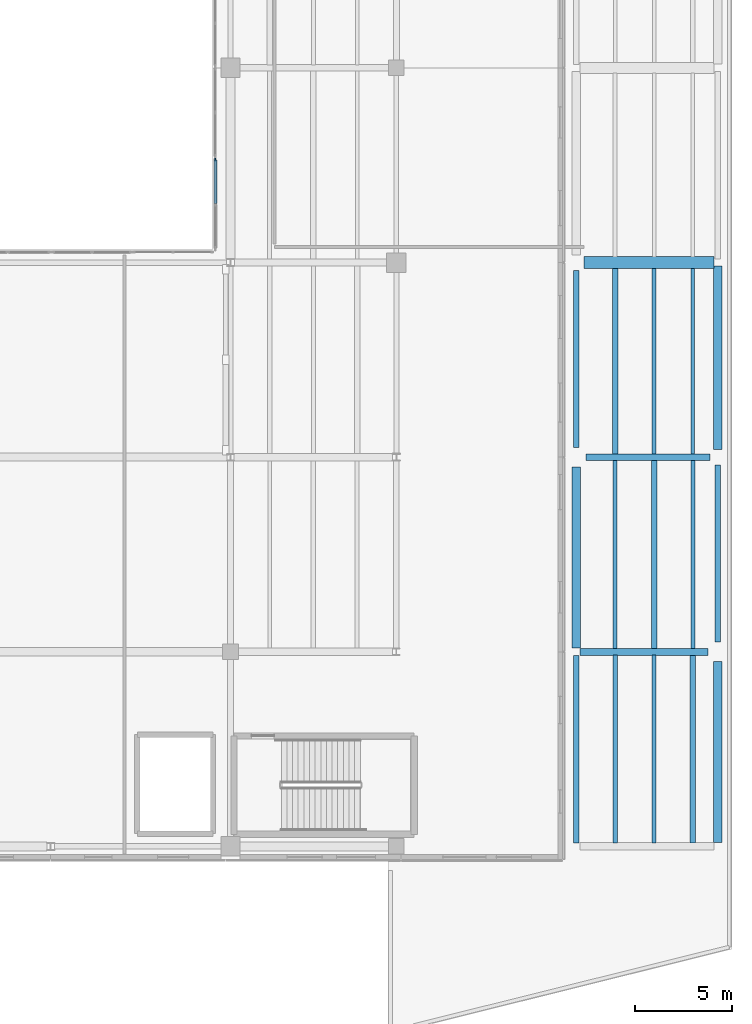
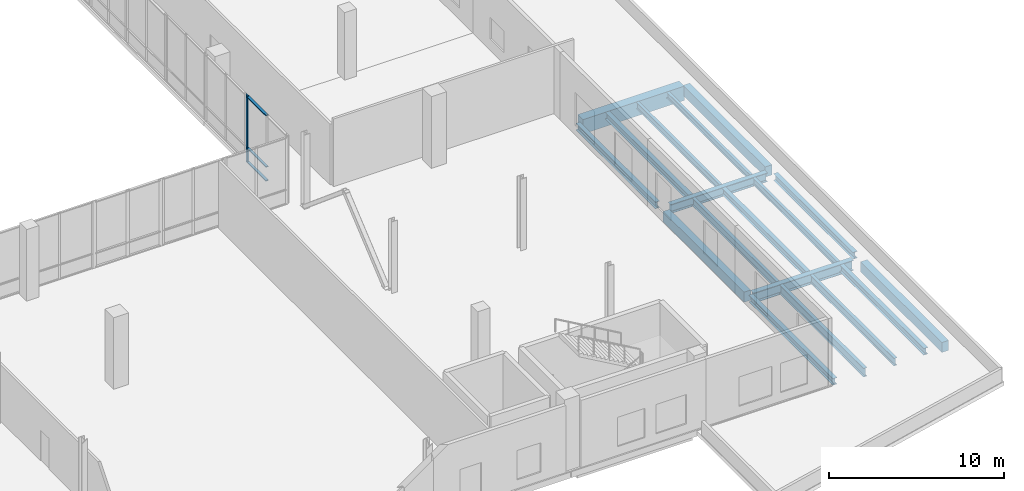
# One storey, part 41 of 73: 18 beams, 4 members, 1 element without a shape of its own.
"""IFC4 building model written with IfcOpenShell, lengths in metres."""

from ifc_helpers import new_model, si_unit, direction, frame, origin, origin_2d, place, context, subcontext, project, spatial, rectangle, i_section, extrude, material, material_profile, profile_set, type_object, element, aggregate, save


model = new_model("IFC4")

# Units and contexts
model_context = context("Model", 3, precision=1e-05, world=origin(), true_north=direction((0.0, 1.0)))
body_context = subcontext(model_context, "Body", "Model", "MODEL_VIEW")
ifc_project = project(units=[si_unit("LENGTHUNIT", "METRE"), si_unit("AREAUNIT", "SQUARE_METRE"), si_unit("VOLUMEUNIT", "CUBIC_METRE"), si_unit("PLANEANGLEUNIT", "RADIAN"), si_unit("MASSUNIT", "GRAM", prefix="KILO")], contexts=[model_context])

# Site, building, storey
site_placement = place(None, origin())
site = spatial("IfcSite", under=ifc_project, at=site_placement, CompositionType="ELEMENT")
building_placement = place(site_placement, origin())
building = spatial("IfcBuilding", under=site, at=building_placement, Name="Trimount Lyric Opera House", CompositionType="ELEMENT")
storey_placement = place(building_placement, frame((0.0, 0.0, 10.0)))
storey = spatial("IfcBuildingStorey", under=building, at=storey_placement, Name="L02", CompositionType="ELEMENT", Elevation=10.0)

# Beams
ifc_material_1 = material(Name="Steel ASTM A992 Grade 50", Category="steel")
ifc_material_profile_1 = material_profile(ifc_material_1, i_section(OverallWidth=0.35595703125, OverallDepth=0.700927734375, WebThickness=0.016845703125, FlangeThickness=0.02734375, FilletRadius=0.01806640625, at=origin_2d()), Name="W27X161")
ifc_profile_set_1 = profile_set([ifc_material_profile_1], Name="Steel ASTM A992 Grade 50")
beam_type_1 = type_object("IfcBeamType", Name="B-08", PredefinedType="BEAM", material=ifc_profile_set_1)
beam_1_placement = place(storey_placement, frame((166.199462890625, 54.0, -0.62060546875), z_axis=(1.0, 0.0, 0.0), x_axis=(0.0, 1.0, 0.0)))
element("IfcBeam", 1, at=beam_1_placement, inside=storey, type_object=beam_type_1, Name="L02 girder X-0748", PredefinedType="BEAM", context=body_context, shape_type="SweptSolid", body=[
    extrude(i_section(OverallWidth=0.35595703125, OverallDepth=0.700927734375, WebThickness=0.016845703125, FlangeThickness=0.02734375, FilletRadius=0.01806640625, at=origin_2d()), origin(), (0.0, 0.0, 1.0), 6.58056640625),
])
ifc_material_2 = material(Name="Steel ASTM A992 Grade 50", Category="steel")
ifc_material_profile_2 = material_profile(ifc_material_2, i_section(OverallWidth=0.327880859375, OverallDepth=0.626953125, WebThickness=0.0166015625, FlangeThickness=0.027587890625, FilletRadius=0.01611328125, at=origin_2d()), Name="W24X146")
ifc_profile_set_2 = profile_set([ifc_material_profile_2], Name="Steel ASTM A992 Grade 50")
beam_type_2 = type_object("IfcBeamType", Name="B-10", PredefinedType="BEAM", material=ifc_profile_set_2)
beam_2_placement = place(storey_placement, frame((166.5, 64.0, -0.58349609375), z_axis=(1.0, 0.0, 0.0), x_axis=(0.0, 1.0, 0.0)))
element("IfcBeam", 2, at=beam_2_placement, inside=storey, type_object=beam_type_2, Name="L02 girder X-0760", PredefinedType="BEAM", context=body_context, shape_type="SweptSolid", body=[
    extrude(i_section(OverallWidth=0.327880859375, OverallDepth=0.626953125, WebThickness=0.0166015625, FlangeThickness=0.027587890625, FilletRadius=0.01611328125, at=origin_2d()), origin(), (0.0, 0.0, 1.0), 6.3798828125),
])
ifc_material_3 = material(Name="Concrete C40/50", Category="concrete")
ifc_material_profile_3 = material_profile(ifc_material_3, rectangle(XDim=0.60009765625, YDim=1.0, at=origin_2d()), Name="RC600X1000")
ifc_profile_set_3 = profile_set([ifc_material_profile_3], Name="Concrete C40/50")
beam_type_3 = type_object("IfcBeamType", Name="B-13", PredefinedType="BEAM", material=ifc_profile_set_3)
beam_3_placement = place(storey_placement, frame((166.39990234375, 74.0, -0.77001953125), z_axis=(1.0, 0.0, 0.0), x_axis=(0.0, 1.0, 0.0)))
element("IfcBeam", 3, at=beam_3_placement, inside=storey, type_object=beam_type_3, Name="L02 girder X-0772", PredefinedType="BEAM", context=body_context, shape_type="SweptSolid", body=[
    extrude(rectangle(XDim=0.60009765625, YDim=1.0, at=origin_2d()), origin(), (0.0, 0.0, 1.0), 6.693603515625),
])
ifc_material_4 = material(Name="Steel ASTM A992 Grade 50", Category="steel")
ifc_material_profile_4 = material_profile(ifc_material_4, i_section(OverallWidth=0.22802734375, OverallDepth=0.60205078125, WebThickness=0.010498046875, FlangeThickness=0.014892578125, FilletRadius=0.012939453125, at=origin_2d()), Name="W24X68")
ifc_profile_set_4 = profile_set([ifc_material_profile_4], Name="Steel ASTM A992 Grade 50")
beam_type_4 = type_object("IfcBeamType", Name="J-01", PredefinedType="BEAM", material=ifc_profile_set_4)
beam_4_placement = place(storey_placement, frame((168.0, 44.18701171875, -0.571044921875), z_axis=(0.0, 1.0, 0.0), x_axis=(-1.0, 0.0, 0.0)))
element("IfcBeam", 4, at=beam_4_placement, inside=storey, type_object=beam_type_4, Name="L02 composite floor joist 0965", PredefinedType="BEAM", context=body_context, shape_type="SweptSolid", body=[
    extrude(i_section(OverallWidth=0.22802734375, OverallDepth=0.60205078125, WebThickness=0.010498046875, FlangeThickness=0.014892578125, FilletRadius=0.012939453125, at=origin_2d()), origin(), (0.0, 0.0, 1.0), 9.638916015625),
])
ifc_material_5 = material(Name="Steel ASTM A992 Grade 50", Category="steel")
ifc_material_profile_5 = material_profile(ifc_material_5, i_section(OverallWidth=0.2099609375, OverallDepth=0.532958984375, WebThickness=0.01025390625, FlangeThickness=0.015625, FilletRadius=0.012939453125, at=origin_2d()), Name="W21X62")
ifc_profile_set_5 = profile_set([ifc_material_profile_5], Name="Steel ASTM A992 Grade 50")
beam_type_5 = type_object("IfcBeamType", Name="J-02", PredefinedType="BEAM", material=ifc_profile_set_5)
beam_5_placement = place(storey_placement, frame((170.0, 44.18701171875, -0.53662109375), z_axis=(0.0, 1.0, 0.0), x_axis=(-1.0, 0.0, 0.0)))
element("IfcBeam", 5, at=beam_5_placement, inside=storey, type_object=beam_type_5, Name="L02 composite floor joist 0966", PredefinedType="BEAM", context=body_context, shape_type="SweptSolid", body=[
    extrude(i_section(OverallWidth=0.2099609375, OverallDepth=0.532958984375, WebThickness=0.01025390625, FlangeThickness=0.015625, FilletRadius=0.012939453125, at=origin_2d()), origin(), (0.0, 0.0, 1.0), 9.638916015625),
])
beam_6_placement = place(storey_placement, frame((168.0, 54.174072265625, -0.53662109375), z_axis=(0.0, 1.0, 0.0), x_axis=(-1.0, 0.0, 0.0)))
element("IfcBeam", 6, at=beam_6_placement, inside=storey, type_object=beam_type_5, Name="L02 composite floor joist 0968", PredefinedType="BEAM", context=body_context, shape_type="SweptSolid", body=[
    extrude(i_section(OverallWidth=0.2099609375, OverallDepth=0.532958984375, WebThickness=0.01025390625, FlangeThickness=0.015625, FilletRadius=0.012939453125, at=origin_2d()), origin(), (0.0, 0.0, 1.0), 9.666015625),
])
ifc_material_6 = material(Name="Steel ASTM A992 Grade 50", Category="steel")
ifc_material_profile_6 = material_profile(ifc_material_6, i_section(OverallWidth=0.281982421875, OverallDepth=0.467041015625, WebThickness=0.01220703125, FlangeThickness=0.01953125, FilletRadius=0.012939453125, at=origin_2d()), Name="W18X86")
ifc_profile_set_6 = profile_set([ifc_material_profile_6], Name="Steel ASTM A992 Grade 50")
beam_type_6 = type_object("IfcBeamType", Name="J-03", PredefinedType="BEAM", material=ifc_profile_set_6)
beam_7_placement = place(storey_placement, frame((172.0, 44.18701171875, -0.50341796875), z_axis=(0.0, 1.0, 0.0), x_axis=(-1.0, 0.0, 0.0)))
element("IfcBeam", 7, at=beam_7_placement, inside=storey, type_object=beam_type_6, Name="L02 composite floor joist 0967", PredefinedType="BEAM", context=body_context, shape_type="SweptSolid", body=[
    extrude(i_section(OverallWidth=0.281982421875, OverallDepth=0.467041015625, WebThickness=0.01220703125, FlangeThickness=0.01953125, FilletRadius=0.012939453125, at=origin_2d()), origin(), (0.0, 0.0, 1.0), 9.638916015625),
])
beam_8_placement = place(storey_placement, frame((170.0, 54.174072265625, -0.50341796875), z_axis=(0.0, 1.0, 0.0), x_axis=(-1.0, 0.0, 0.0)))
element("IfcBeam", 8, at=beam_8_placement, inside=storey, type_object=beam_type_6, Name="L02 composite floor joist 0969", PredefinedType="BEAM", context=body_context, shape_type="SweptSolid", body=[
    extrude(i_section(OverallWidth=0.281982421875, OverallDepth=0.467041015625, WebThickness=0.01220703125, FlangeThickness=0.01953125, FilletRadius=0.012939453125, at=origin_2d()), origin(), (0.0, 0.0, 1.0), 9.666015625),
])
beam_9_placement = place(storey_placement, frame((168.0, 64.159912109375, -0.50341796875), z_axis=(0.0, 1.0, 0.0), x_axis=(-1.0, 0.0, 0.0)))
element("IfcBeam", 9, at=beam_9_placement, inside=storey, type_object=beam_type_6, Name="L02 composite floor joist 0971", PredefinedType="BEAM", context=body_context, shape_type="SweptSolid", body=[
    extrude(i_section(OverallWidth=0.281982421875, OverallDepth=0.467041015625, WebThickness=0.01220703125, FlangeThickness=0.01953125, FilletRadius=0.012939453125, at=origin_2d()), origin(), (0.0, 0.0, 1.0), 9.544189453125),
])
ifc_material_7 = material(Name="Steel ASTM A992 Grade 50", Category="steel")
ifc_material_profile_7 = material_profile(ifc_material_7, i_section(OverallWidth=0.19091796875, OverallDepth=0.45703125, WebThickness=0.009033203125, FlangeThickness=0.014404296875, FilletRadius=0.010986328125, at=origin_2d()), Name="W18X50")
ifc_profile_set_7 = profile_set([ifc_material_profile_7], Name="Steel ASTM A992 Grade 50")
beam_type_7 = type_object("IfcBeamType", Name="J-04", PredefinedType="BEAM", material=ifc_profile_set_7)
beam_10_placement = place(storey_placement, frame((172.0, 54.174072265625, -0.49853515625), z_axis=(0.0, 1.0, 0.0), x_axis=(-1.0, 0.0, 0.0)))
element("IfcBeam", 10, at=beam_10_placement, inside=storey, type_object=beam_type_7, Name="L02 composite floor joist 0970", PredefinedType="BEAM", context=body_context, shape_type="SweptSolid", body=[
    extrude(i_section(OverallWidth=0.19091796875, OverallDepth=0.45703125, WebThickness=0.009033203125, FlangeThickness=0.014404296875, FilletRadius=0.010986328125, at=origin_2d()), origin(), (0.0, 0.0, 1.0), 9.666015625),
])
beam_11_placement = place(storey_placement, frame((170.0, 64.159912109375, -0.49853515625), z_axis=(0.0, 1.0, 0.0), x_axis=(-1.0, 0.0, 0.0)))
element("IfcBeam", 11, at=beam_11_placement, inside=storey, type_object=beam_type_7, Name="L02 composite floor joist 0972", PredefinedType="BEAM", context=body_context, shape_type="SweptSolid", body=[
    extrude(i_section(OverallWidth=0.19091796875, OverallDepth=0.45703125, WebThickness=0.009033203125, FlangeThickness=0.014404296875, FilletRadius=0.010986328125, at=origin_2d()), origin(), (0.0, 0.0, 1.0), 9.544189453125),
])
ifc_material_8 = material(Name="Steel ASTM A992 Grade 50", Category="steel")
ifc_material_profile_8 = material_profile(ifc_material_8, i_section(OverallWidth=0.180908203125, OverallDepth=0.4169921875, WebThickness=0.010986328125, FlangeThickness=0.018310546875, FilletRadius=0.010986328125, at=origin_2d()), Name="W16X57")
ifc_profile_set_8 = profile_set([ifc_material_profile_8], Name="Steel ASTM A992 Grade 50")
beam_type_8 = type_object("IfcBeamType", Name="J-05", PredefinedType="BEAM", material=ifc_profile_set_8)
beam_12_placement = place(storey_placement, frame((172.0, 64.159912109375, -0.478515625), z_axis=(0.0, 1.0, 0.0), x_axis=(-1.0, 0.0, 0.0)))
element("IfcBeam", 12, at=beam_12_placement, inside=storey, type_object=beam_type_8, Name="L02 composite floor joist 0973", PredefinedType="BEAM", context=body_context, shape_type="SweptSolid", body=[
    extrude(i_section(OverallWidth=0.180908203125, OverallDepth=0.4169921875, WebThickness=0.010986328125, FlangeThickness=0.018310546875, FilletRadius=0.010986328125, at=origin_2d()), origin(), (0.0, 0.0, 1.0), 9.544189453125),
])

# Curtain wall, member
ifc_material_9 = material(Name="Thermally Broken Aluminium and Low-E Glass", Category="aluminium")
curtain_wall_type = type_object("IfcCurtainWallType", Name="CW-03", PredefinedType="NOTDEFINED", material=ifc_material_9)
curtain_wall_placement = place(storey_placement, origin())
curtain_wall = element("IfcCurtainWall", 13, at=curtain_wall_placement, inside=storey, type_object=curtain_wall_type, Name="L02 curtain wall 228", PredefinedType="NOTDEFINED")
ifc_material_10 = material(Name="Anodised Aluminium 6063-T6", Category="aluminium")
ifc_material_profile_9 = material_profile(ifc_material_10, rectangle(XDim=0.070068359375, YDim=0.219970703125, at=origin_2d()), Name="ALU-MULL-70X220")
ifc_profile_set_9 = profile_set([ifc_material_profile_9], Name="Anodised Aluminium 6063-T6")
member_type_1 = type_object("IfcMemberType", Name="ML-01", PredefinedType="MULLION", material=ifc_profile_set_9)
member_1_placement = place(storey_placement, frame((147.4599609375, 79.304931640625, 0.0), z_axis=(0.0, 0.0, 1.0), x_axis=(-1.0, 0.0, 0.0)))
member_1 = element("IfcMember", 14, at=member_1_placement, type_object=member_type_1, Name="CW-03 mullion 3", PredefinedType="MULLION", context=body_context, shape_type="SweptSolid", body=[
    extrude(rectangle(XDim=0.070068359375, YDim=0.219970703125, at=origin_2d()), origin(), (0.0, 0.0, 1.0), 4.7099609375),
])

# Beams
ifc_material_11 = material(Name="Steel ASTM A992 Grade 50", Category="steel")
ifc_material_profile_10 = material_profile(ifc_material_11, i_section(OverallWidth=0.281982421875, OverallDepth=0.467041015625, WebThickness=0.01220703125, FlangeThickness=0.01953125, FilletRadius=0.012939453125, at=origin_2d()), Name="W18X86")
ifc_profile_set_10 = profile_set([ifc_material_profile_10], Name="Steel ASTM A992 Grade 50")
beam_type_9 = type_object("IfcBeamType", Name="SP-01", PredefinedType="SPANDREL", material=ifc_profile_set_10)
beam_13_placement = place(storey_placement, frame((166.0, 44.18408203125, -0.50341796875), z_axis=(0.0, 1.0, 0.0), x_axis=(-1.0, 0.0, 0.0)))
element("IfcBeam", 15, at=beam_13_placement, inside=storey, type_object=beam_type_9, Name="L02 girder Y-0924", PredefinedType="SPANDREL", context=body_context, shape_type="SweptSolid", body=[
    extrude(i_section(OverallWidth=0.281982421875, OverallDepth=0.467041015625, WebThickness=0.01220703125, FlangeThickness=0.01953125, FilletRadius=0.012939453125, at=origin_2d()), origin(), (0.0, 0.0, 1.0), 9.622802734375),
])
for number, where, z_axis, x_axis, name in (
    (16, (166.0, 64.5, -0.50341796875), (0.0, 1.0, 0.0), (-1.0, 0.0, 0.0), "L02 girder Y-0926"),
    (17, (173.280029296875, 54.5, -0.50341796875), (0.0, 1.0, 0.0), (-1.0, 0.0, 0.0), "L02 girder Y-0933"),
):
    element("IfcBeam", number, at=place(storey_placement, frame(where, z_axis=z_axis, x_axis=x_axis)), inside=storey, type_object=beam_type_9, Name=name, PredefinedType="SPANDREL", context=body_context, shape_type="SweptSolid", body=[
        extrude(i_section(OverallWidth=0.281982421875, OverallDepth=0.467041015625, WebThickness=0.01220703125, FlangeThickness=0.01953125, FilletRadius=0.012939453125, at=origin_2d()), origin(), (0.0, 0.0, 1.0), 9.10009765625),
    ])
ifc_material_12 = material(Name="Concrete C40/50", Category="concrete")
ifc_material_profile_11 = material_profile(ifc_material_12, rectangle(XDim=0.449951171875, YDim=0.699951171875, at=origin_2d()), Name="RC450X700")
ifc_profile_set_11 = profile_set([ifc_material_profile_11], Name="Concrete C40/50")
beam_type_10 = type_object("IfcBeamType", Name="SP-02", PredefinedType="SPANDREL", material=ifc_profile_set_11)
for number, where, z_axis, x_axis, name in (
    (18, (166.0, 54.193115234375, -0.6201171875), (0.0, 1.0, 0.0), (-1.0, 0.0, 0.0), "L02 girder Y-0925"),
    (19, (173.280029296875, 44.193115234375, -0.6201171875), (0.0, 1.0, 0.0), (-1.0, 0.0, 0.0), "L02 girder Y-0932"),
):
    element("IfcBeam", number, at=place(storey_placement, frame(where, z_axis=z_axis, x_axis=x_axis)), inside=storey, type_object=beam_type_10, Name=name, PredefinedType="SPANDREL", context=body_context, shape_type="SweptSolid", body=[
        extrude(rectangle(XDim=0.449951171875, YDim=0.699951171875, at=origin_2d()), origin(), (0.0, 0.0, 1.0), 9.306884765625),
    ])
beam_14_placement = place(storey_placement, frame((173.280029296875, 64.39990234375, -0.6201171875), z_axis=(0.0, 1.0, 0.0), x_axis=(-1.0, 0.0, 0.0)))
element("IfcBeam", 20, at=beam_14_placement, inside=storey, type_object=beam_type_10, Name="L02 girder Y-0934", PredefinedType="SPANDREL", context=body_context, shape_type="SweptSolid", body=[
    extrude(rectangle(XDim=0.449951171875, YDim=0.699951171875, at=origin_2d()), origin(), (0.0, 0.0, 1.0), 9.416015625),
])

# Member
ifc_material_13 = material(Name="Anodised Aluminium 6063-T6", Category="aluminium")
ifc_material_profile_12 = material_profile(ifc_material_13, rectangle(XDim=0.159912109375, YDim=0.070068359375, at=origin_2d()), Name="ALU-TRAN-70X160")
ifc_profile_set_12 = profile_set([ifc_material_profile_12], Name="Anodised Aluminium 6063-T6")
member_type_2 = type_object("IfcMemberType", Name="TR-01", PredefinedType="USERDEFINED", material=ifc_profile_set_12)
member_2_placement = place(storey_placement, frame((147.4599609375, 77.044921875, 0.080078125), z_axis=(0.0, 1.0, 0.0), x_axis=(-1.0, 0.0, 0.0)))
member_2 = element("IfcMember", 21, at=member_2_placement, type_object=member_type_2, Name="CW-03 transom 2.1", ObjectType="TRANSOM", PredefinedType="USERDEFINED", context=body_context, shape_type="SweptSolid", body=[
    extrude(rectangle(XDim=0.159912109375, YDim=0.070068359375, at=origin_2d()), origin(), (0.0, 0.0, 1.0), 2.22509765625),
])

member_3_placement = place(storey_placement, frame((147.4599609375, 77.044921875, 1.050048828125), z_axis=(0.0, 1.0, 0.0), x_axis=(-1.0, 0.0, 0.0)))
member_3 = element("IfcMember", 22, at=member_3_placement, type_object=member_type_2, Name="CW-03 transom 2.2", ObjectType="TRANSOM", PredefinedType="USERDEFINED", context=body_context, shape_type="SweptSolid", body=[
    extrude(rectangle(XDim=0.159912109375, YDim=0.070068359375, at=origin_2d()), origin(), (0.0, 0.0, 1.0), 2.22509765625),
])

member_4_placement = place(storey_placement, frame((147.4599609375, 77.044921875, 4.6298828125), z_axis=(0.0, 1.0, 0.0), x_axis=(-1.0, 0.0, 0.0)))
member_4 = element("IfcMember", 23, at=member_4_placement, type_object=member_type_2, Name="CW-03 transom 2.3", ObjectType="TRANSOM", PredefinedType="USERDEFINED", context=body_context, shape_type="SweptSolid", body=[
    extrude(rectangle(XDim=0.159912109375, YDim=0.070068359375, at=origin_2d()), origin(), (0.0, 0.0, 1.0), 2.22509765625),
])

aggregate(curtain_wall, [member_1, member_2, member_3, member_4])

save(model, "model.ifc")
